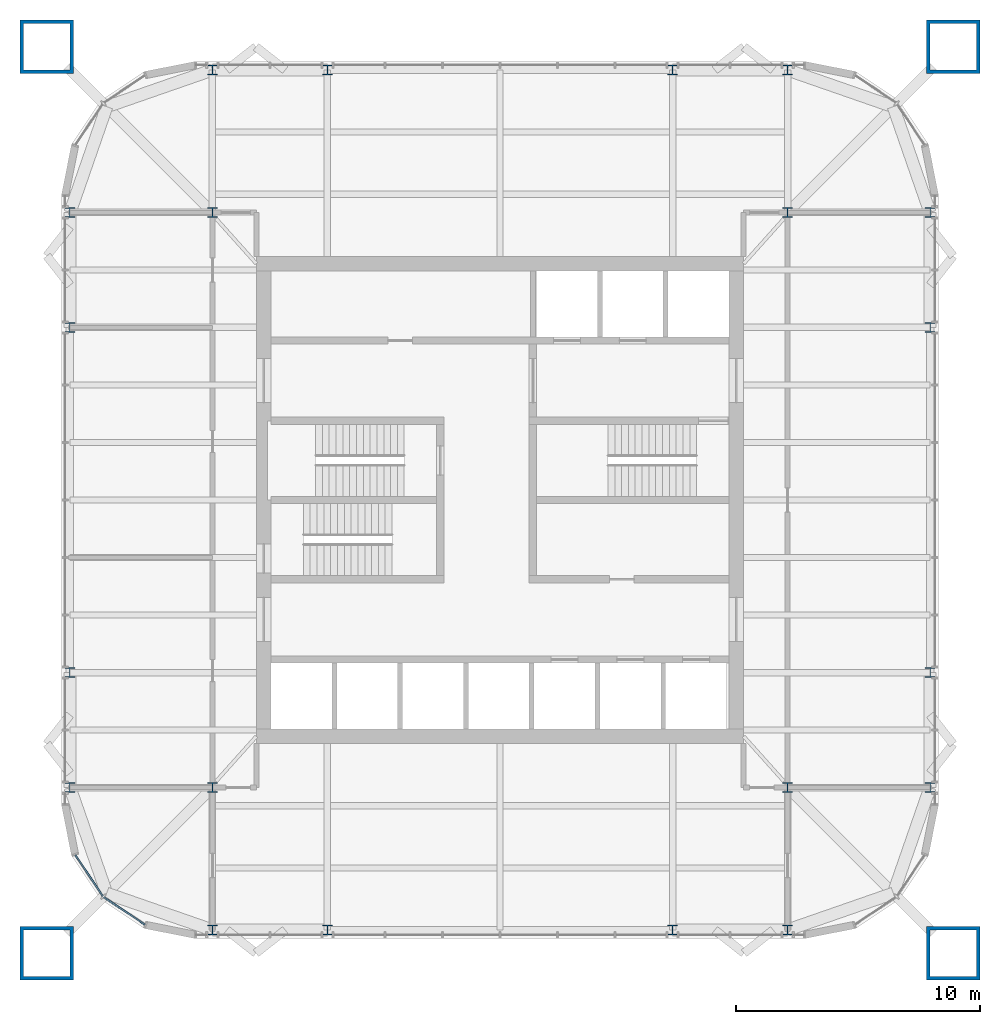
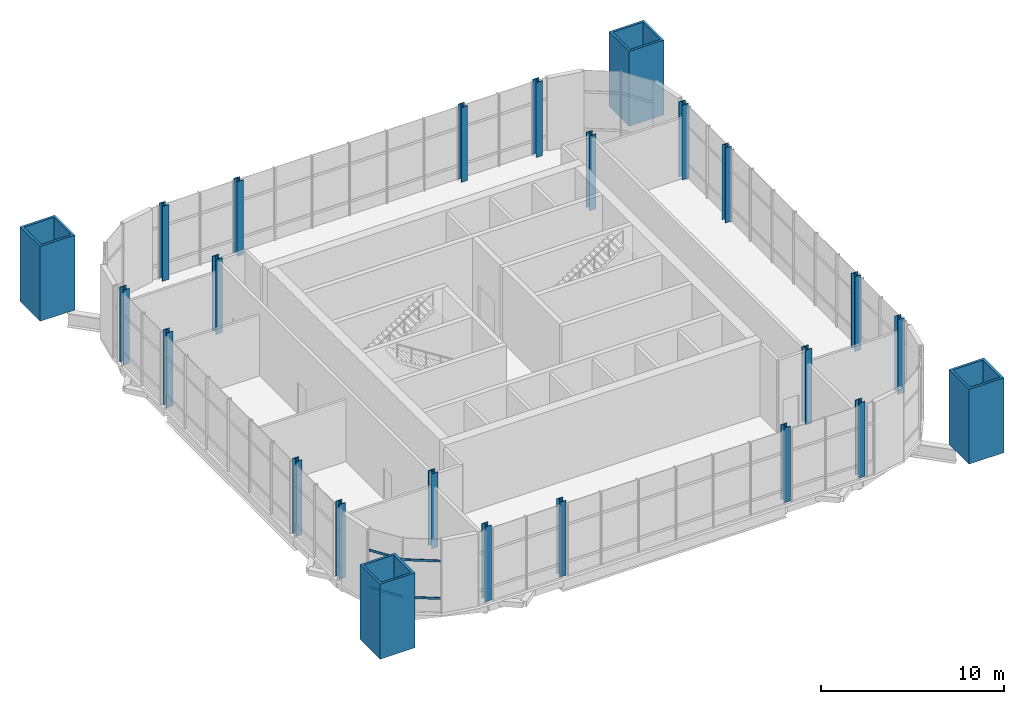
# One storey, part 1 of 15: 24 columns, 4 members, 1 element without a shape of its own.
"""IFC4 building model written with IfcOpenShell, lengths in metres."""

from ifc_helpers import new_model, si_unit, direction, frame, origin, origin_2d, place, context, subcontext, project, spatial, rectangle, hollow_rectangle, i_section, extrude, material, material_profile, profile_set, type_object, element, aggregate, save


model = new_model("IFC4")

# Units and contexts
model_context = context("Model", 3, precision=1e-05, world=origin(), true_north=direction((0.0, 1.0)))
body_context = subcontext(model_context, "Body", "Model", "MODEL_VIEW")
ifc_project = project(units=[si_unit("LENGTHUNIT", "METRE"), si_unit("AREAUNIT", "SQUARE_METRE"), si_unit("VOLUMEUNIT", "CUBIC_METRE"), si_unit("PLANEANGLEUNIT", "RADIAN"), si_unit("MASSUNIT", "GRAM", prefix="KILO")], contexts=[model_context])

# Site, building, storey
site_placement = place(None, origin())
site = spatial("IfcSite", under=ifc_project, at=site_placement, CompositionType="ELEMENT")
building_placement = place(site_placement, origin())
building = spatial("IfcBuilding", under=site, at=building_placement, Name="Turquesa Mirador Hotel Tower", CompositionType="ELEMENT")
storey_placement = place(building_placement, frame((0.0, 0.0, 261.699951171875)))
storey = spatial("IfcBuildingStorey", under=building, at=storey_placement, Name="L71", CompositionType="ELEMENT", Elevation=261.699951171875)

# Columns
ifc_material_1 = material(Name="Steel ASTM A992 Grade 50", Category="steel")
ifc_material_profile_1 = material_profile(ifc_material_1, i_section(OverallWidth=0.398681640625, OverallDepth=0.393798828125, WebThickness=0.022705078125, FlangeThickness=0.03662109375, at=origin_2d()), Name="W14X193")
ifc_profile_set_1 = profile_set([ifc_material_profile_1], Name="Steel ASTM A992 Grade 50")
column_type_1 = type_object("IfcColumnType", Name="COLUMN W14X193", PredefinedType="COLUMN", material=ifc_profile_set_1)
for number, where, z_axis, x_axis, name in (
    (1, (37.35009765625, 33.199951171875, 0.0), (0.0, 0.0, 1.0), (1.0, 0.0, 0.0), "COL-L71-P--17.65--11.80"),
    (2, (37.35009765625, 37.919921875, 0.0), (0.0, 0.0, 1.0), (1.0, 0.0, 0.0), "COL-L71-P--17.65--7.08"),
    (3, (37.35009765625, 52.080078125, 0.0), (0.0, 0.0, 1.0), (1.0, 0.0, 0.0), "COL-L71-P--17.65-+7.08"),
    (4, (37.35009765625, 56.800048828125, 0.0), (0.0, 0.0, 1.0), (1.0, 0.0, 0.0), "COL-L71-P--17.65-+11.80"),
    (5, (43.199951171875, 27.35009765625, 0.0), (0.0, 0.0, 1.0), (1.0, 0.0, 0.0), "COL-L71-P--11.80--17.65"),
    (6, (43.199951171875, 62.64990234375, 0.0), (0.0, 0.0, 1.0), (1.0, 0.0, 0.0), "COL-L71-P--11.80-+17.65"),
    (7, (47.919921875, 27.35009765625, 0.0), (0.0, 0.0, 1.0), (1.0, 0.0, 0.0), "COL-L71-P--7.08--17.65"),
    (8, (47.919921875, 62.64990234375, 0.0), (0.0, 0.0, 1.0), (1.0, 0.0, 0.0), "COL-L71-P--7.08-+17.65"),
    (9, (62.080078125, 27.35009765625, 0.0), (0.0, 0.0, 1.0), (1.0, 0.0, 0.0), "COL-L71-P-+7.08--17.65"),
    (10, (62.080078125, 62.64990234375, 0.0), (0.0, 0.0, 1.0), (1.0, 0.0, 0.0), "COL-L71-P-+7.08-+17.65"),
    (11, (66.800048828125, 27.35009765625, 0.0), (0.0, 0.0, 1.0), (1.0, 0.0, 0.0), "COL-L71-P-+11.80--17.65"),
    (12, (66.800048828125, 62.64990234375, 0.0), (0.0, 0.0, 1.0), (1.0, 0.0, 0.0), "COL-L71-P-+11.80-+17.65"),
    (13, (72.64990234375, 33.199951171875, 0.0), (0.0, 0.0, 1.0), (1.0, 0.0, 0.0), "COL-L71-P-+17.65--11.80"),
    (14, (72.64990234375, 37.919921875, 0.0), (0.0, 0.0, 1.0), (1.0, 0.0, 0.0), "COL-L71-P-+17.65--7.08"),
    (15, (72.64990234375, 52.080078125, 0.0), (0.0, 0.0, 1.0), (1.0, 0.0, 0.0), "COL-L71-P-+17.65-+7.08"),
    (16, (72.64990234375, 56.800048828125, 0.0), (0.0, 0.0, 1.0), (1.0, 0.0, 0.0), "COL-L71-P-+17.65-+11.80"),
):
    element("IfcColumn", number, at=place(storey_placement, frame(where, z_axis=z_axis, x_axis=x_axis)), inside=storey, type_object=column_type_1, Name=name, PredefinedType="COLUMN", context=body_context, shape_type="SweptSolid", body=[
        extrude(i_section(OverallWidth=0.398681640625, OverallDepth=0.393798828125, WebThickness=0.022705078125, FlangeThickness=0.03662109375, at=origin_2d()), origin(), (0.0, 0.0, 1.0), 5.0),
    ])
ifc_material_2 = material(Name="Steel ASTM A992 Grade 50", Category="steel")
ifc_material_profile_2 = material_profile(ifc_material_2, i_section(OverallWidth=0.406494140625, OverallDepth=0.41650390625, WebThickness=0.030029296875, FlangeThickness=0.048095703125, at=origin_2d()), Name="W14X257")
ifc_profile_set_2 = profile_set([ifc_material_profile_2], Name="Steel ASTM A992 Grade 50")
column_type_2 = type_object("IfcColumnType", Name="COLUMN W14X257", PredefinedType="COLUMN", material=ifc_profile_set_2)
for number, where, z_axis, x_axis, name in (
    (17, (43.199951171875, 33.199951171875, 0.0), (0.0, 0.0, 1.0), (1.0, 0.0, 0.0), "COL-L71-K--11.80--11.80"),
    (18, (43.199951171875, 56.800048828125, 0.0), (0.0, 0.0, 1.0), (1.0, 0.0, 0.0), "COL-L71-K--11.80-+11.80"),
    (19, (66.800048828125, 33.199951171875, 0.0), (0.0, 0.0, 1.0), (1.0, 0.0, 0.0), "COL-L71-K-+11.80--11.80"),
    (20, (66.800048828125, 56.800048828125, 0.0), (0.0, 0.0, 1.0), (1.0, 0.0, 0.0), "COL-L71-K-+11.80-+11.80"),
):
    element("IfcColumn", number, at=place(storey_placement, frame(where, z_axis=z_axis, x_axis=x_axis)), inside=storey, type_object=column_type_2, Name=name, PredefinedType="COLUMN", context=body_context, shape_type="SweptSolid", body=[
        extrude(i_section(OverallWidth=0.406494140625, OverallDepth=0.41650390625, WebThickness=0.030029296875, FlangeThickness=0.048095703125, at=origin_2d()), origin(), (0.0, 0.0, 1.0), 5.0),
    ])
ifc_material_3 = material(Name="Steel ASTM A514 Grade Q", Category="steel")
ifc_material_profile_3 = material_profile(ifc_material_3, hollow_rectangle(XDim=2.199951171875, YDim=2.199951171875, WallThickness=0.14990234375, at=origin_2d()), Name="BOX2200X2200X150")
ifc_profile_set_3 = profile_set([ifc_material_profile_3], Name="Steel ASTM A514 Grade Q")
column_type_3 = type_object("IfcColumnType", Name="MEGA COLUMN BOX2200X2200X150", PredefinedType="COLUMN", material=ifc_profile_set_3)
for number, where, z_axis, x_axis, name in (
    (21, (73.60009765625, 63.60009765625, 0.0), (0.0, 0.0, 1.0), (1.0, 0.0, 0.0), "Mega column M1"),
    (22, (36.39990234375, 63.60009765625, 0.0), (0.0, 0.0, 1.0), (1.0, 0.0, 0.0), "Mega column M2"),
    (23, (36.39990234375, 26.39990234375, 0.0), (0.0, 0.0, 1.0), (1.0, 0.0, 0.0), "Mega column M3"),
    (24, (73.60009765625, 26.39990234375, 0.0), (0.0, 0.0, 1.0), (1.0, 0.0, 0.0), "Mega column M4"),
):
    element("IfcColumn", number, at=place(storey_placement, frame(where, z_axis=z_axis, x_axis=x_axis)), inside=storey, type_object=column_type_3, Name=name, PredefinedType="COLUMN", context=body_context, shape_type="SweptSolid", body=[
        extrude(hollow_rectangle(XDim=2.199951171875, YDim=2.199951171875, WallThickness=0.14990234375, at=origin_2d()), origin(), (0.0, 0.0, 1.0), 5.0),
    ])

# Curtain wall, members
ifc_material_4 = material(Name="Aluminium extrusion", Category="aluminium")
curtain_wall_type = type_object("IfcCurtainWallType", Name="CW-5 SKY RESTAURANT CURTAIN WALL", PredefinedType="USERDEFINED", material=ifc_material_4)
curtain_wall_placement = place(storey_placement, origin())
curtain_wall = element("IfcCurtainWall", 25, at=curtain_wall_placement, inside=storey, type_object=curtain_wall_type, Name="CW-5 SKY RESTAURANT CURTAIN WALL L71", ObjectType="CURTAIN WALL", PredefinedType="USERDEFINED")
ifc_material_5 = material(Name="Aluminium extrusion", Category="aluminium")
ifc_material_profile_4 = material_profile(ifc_material_5, rectangle(XDim=0.06494140625, YDim=0.14990234375, at=origin_2d()), Name="TRANSOM 65X150")
ifc_profile_set_4 = profile_set([ifc_material_profile_4], Name="Aluminium extrusion")
member_type = type_object("IfcMemberType", Name="CW TRANSOM 65X150", PredefinedType="USERDEFINED", material=ifc_profile_set_4)
member_1_placement = place(storey_placement, frame((37.5751953125, 30.425537109375, 0.900146484375), z_axis=(0.555619095835, -0.831436961136, 0.0), x_axis=(0.831436961136, 0.555619095835, 0.0)))
member_1 = element("IfcMember", 26, at=member_1_placement, type_object=member_type, Name="Transom", ObjectType="TRANSOM", PredefinedType="USERDEFINED", context=body_context, shape_type="SweptSolid", body=[
    extrude(rectangle(XDim=0.06494140625, YDim=0.14990234375, at=origin_2d()), origin(), (0.0, 0.0, 1.0), 2.0224609375),
])
member_2_placement = place(storey_placement, frame((37.5751953125, 30.425537109375, 3.400146484375), z_axis=(0.555619095835, -0.831436961136, 0.0), x_axis=(0.831436961136, 0.555619095835, 0.0)))
member_2 = element("IfcMember", 27, at=member_2_placement, type_object=member_type, Name="Transom", ObjectType="TRANSOM", PredefinedType="USERDEFINED", context=body_context, shape_type="SweptSolid", body=[
    extrude(rectangle(XDim=0.06494140625, YDim=0.14990234375, at=origin_2d()), origin(), (0.0, 0.0, 1.0), 2.0224609375),
])
member_3_placement = place(storey_placement, frame((38.743896484375, 28.698974609375, 0.900146484375), z_axis=(0.831436961136, -0.555619095835, 0.0), x_axis=(0.555619095835, 0.831436961136, 0.0)))
member_3 = element("IfcMember", 28, at=member_3_placement, type_object=member_type, Name="Transom", ObjectType="TRANSOM", PredefinedType="USERDEFINED", context=body_context, shape_type="SweptSolid", body=[
    extrude(rectangle(XDim=0.06494140625, YDim=0.14990234375, at=origin_2d()), origin(), (0.0, 0.0, 1.0), 2.0224609375),
])
member_4_placement = place(storey_placement, frame((38.743896484375, 28.698974609375, 3.400146484375), z_axis=(0.831436961136, -0.555619095835, 0.0), x_axis=(0.555619095835, 0.831436961136, 0.0)))
member_4 = element("IfcMember", 29, at=member_4_placement, type_object=member_type, Name="Transom", ObjectType="TRANSOM", PredefinedType="USERDEFINED", context=body_context, shape_type="SweptSolid", body=[
    extrude(rectangle(XDim=0.06494140625, YDim=0.14990234375, at=origin_2d()), origin(), (0.0, 0.0, 1.0), 2.0224609375),
])
aggregate(curtain_wall, [member_1, member_2, member_3, member_4])

save(model, "model.ifc")
